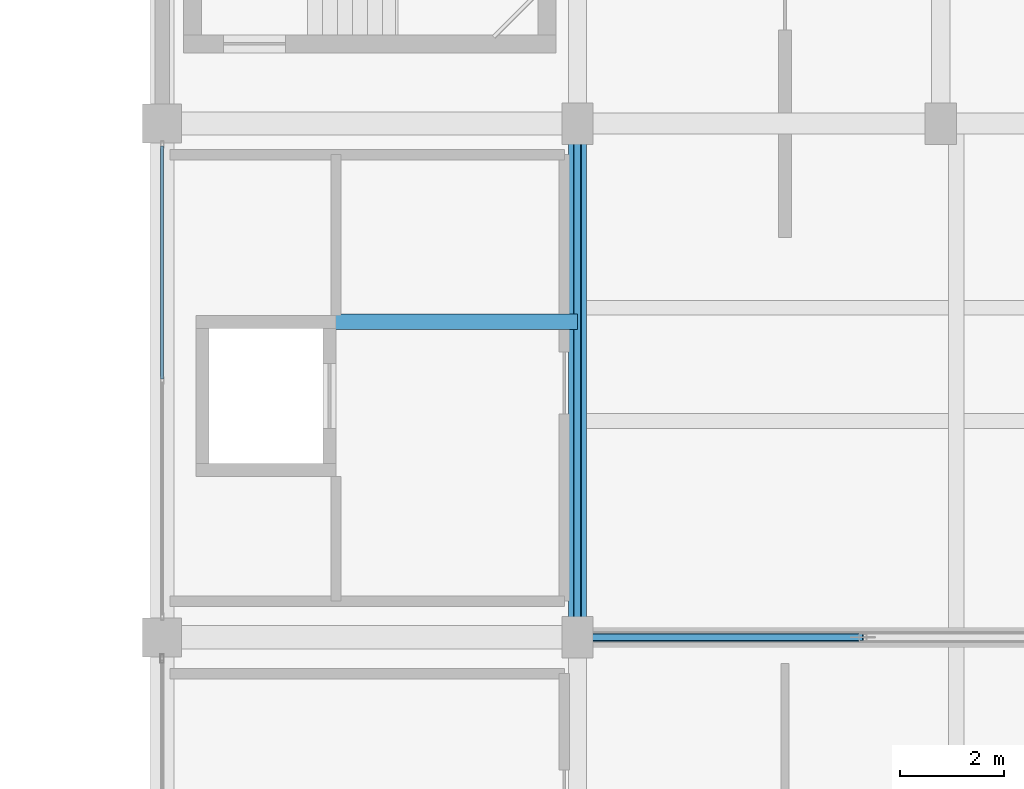
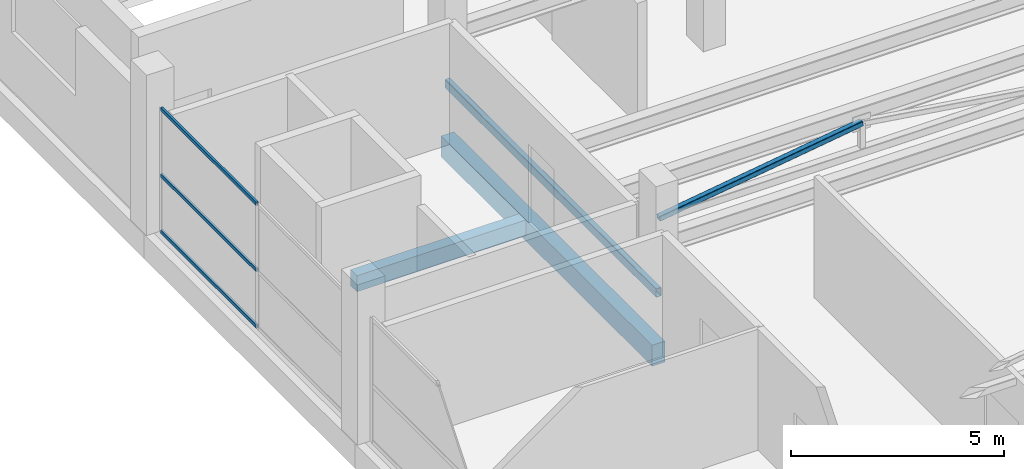
# One storey, part 18 of 49: 4 members, 3 beams, 1 element without a shape of its own.
"""IFC4 building model written with IfcOpenShell, lengths in metres."""

from ifc_helpers import new_model, si_unit, direction, frame, origin, origin_2d, place, context, subcontext, project, spatial, rectangle, hollow_rectangle, extrude, material, layer, layer_set, material_profile, profile_set, type_object, element, aggregate, save


model = new_model("IFC4")

# Units and contexts
model_context = context("Model", 3, precision=1e-05, world=origin(), true_north=direction((0.0, 1.0)))
body_context = subcontext(model_context, "Body", "Model", "MODEL_VIEW")
ifc_project = project(units=[si_unit("LENGTHUNIT", "METRE"), si_unit("AREAUNIT", "SQUARE_METRE"), si_unit("VOLUMEUNIT", "CUBIC_METRE"), si_unit("PLANEANGLEUNIT", "RADIAN"), si_unit("MASSUNIT", "GRAM", prefix="KILO")], contexts=[model_context])

# Site, building, storey
site_placement = place(None, origin())
site = spatial("IfcSite", under=ifc_project, at=site_placement, CompositionType="ELEMENT")
building_placement = place(site_placement, origin())
building = spatial("IfcBuilding", under=site, at=building_placement, Name="Sillaruma Civic Art Gallery", CompositionType="ELEMENT")
storey_placement = place(building_placement, frame((0.0, 0.0, 33.14990234375)))
storey = spatial("IfcBuildingStorey", under=building, at=storey_placement, Name="L06", CompositionType="ELEMENT", Elevation=33.14990234375)

# Beams
ifc_material_1 = material(Name="Concrete H35 (35 MPa)", Category="concrete")
ifc_material_profile_1 = material_profile(ifc_material_1, rectangle(XDim=0.35009765625, YDim=0.60009765625, at=origin_2d()), Name="RCB350x600")
ifc_profile_set_1 = profile_set([ifc_material_profile_1], Name="Concrete H35 (35 MPa)")
beam_type_1 = type_object("IfcBeamType", Name="BM-BEAM-RCB350x600", PredefinedType="BEAM", material=ifc_profile_set_1)
beam_1_placement = place(storey_placement, frame((70.0, 69.300048828125, -0.539794921875), z_axis=(0.0, 1.0, 0.0), x_axis=(-1.0, 0.0, 0.0)))
element("IfcBeam", 1, at=beam_1_placement, inside=storey, type_object=beam_type_1, Name="Beam BM-06 (L05:G:8-9)", PredefinedType="BEAM", context=body_context, shape_type="SweptSolid", body=[
    extrude(rectangle(XDim=0.35009765625, YDim=0.60009765625, at=origin_2d()), origin(), (0.0, 0.0, 1.0), 9.89990234375),
])
ifc_material_profile_2 = material_profile(ifc_material_1, rectangle(XDim=0.300048828125, YDim=0.4599609375, at=origin_2d()), Name="RCB300x460")
ifc_profile_set_2 = profile_set([ifc_material_profile_2], Name="Concrete H35 (35 MPa)")
beam_type_2 = type_object("IfcBeamType", Name="BM-LINTEL-RCB300x460", PredefinedType="LINTEL", material=ifc_profile_set_2)
beam_2_placement = place(storey_placement, frame((65.25, 75.3798828125, -0.469970703125), z_axis=(1.0, 0.0, 0.0), x_axis=(0.0, 1.0, 0.0)))
element("IfcBeam", 2, at=beam_2_placement, inside=storey, type_object=beam_type_2, Name="Core Portal Coupling Lintel BL-01 (L05:FFL)", PredefinedType="LINTEL", context=body_context, shape_type="SweptSolid", body=[
    extrude(rectangle(XDim=0.300048828125, YDim=0.4599609375, at=origin_2d()), origin(), (0.0, 0.0, 1.0), 4.75),
])
ifc_material_2 = material(Name="Structural Steel ASTM A500 Gr.C", Category="steel")
ifc_material_profile_3 = material_profile(ifc_material_2, hollow_rectangle(XDim=0.14990234375, YDim=0.25, WallThickness=0.010009765625, InnerFilletRadius=0.010009765625, OuterFilletRadius=0.02001953125, at=origin_2d()), Name="HSS250x150x10")
ifc_profile_set_3 = profile_set([ifc_material_profile_3], Name="Structural Steel ASTM A500 Gr.C")
beam_type_3 = type_object("IfcBeamType", Name="BM-LND-HSS200", PredefinedType="BEAM", material=ifc_profile_set_3)
beam_3_placement = place(storey_placement, frame((70.0, 69.300048828125, 1.22021484375), z_axis=(0.0, 1.0, 0.0), x_axis=(-1.0, 0.0, 0.0)))
element("IfcBeam", 3, at=beam_3_placement, inside=storey, type_object=beam_type_3, Name="Feature Stair L1 Rail (ST-G03-W)", PredefinedType="BEAM", context=body_context, shape_type="SweptSolid", body=[
    extrude(hollow_rectangle(XDim=0.14990234375, YDim=0.25, WallThickness=0.010009765625, InnerFilletRadius=0.010009765625, OuterFilletRadius=0.02001953125, at=origin_2d()), origin(), (0.0, 0.0, 1.0), 9.89990234375),
])

# Member
ifc_material_profile_4 = material_profile(ifc_material_2, hollow_rectangle(XDim=0.14990234375, YDim=0.14990234375, WallThickness=0.010009765625, InnerFilletRadius=0.010009765625, OuterFilletRadius=0.02001953125, at=origin_2d()), Name="HSS150x150x10")
ifc_profile_set_4 = profile_set([ifc_material_profile_4], Name="Structural Steel ASTM A500 Gr.C")
member_type_1 = type_object("IfcMemberType", Name="MEM-BRACE-HSS150x150x10", PredefinedType="BRACE", material=ifc_profile_set_4)
member_1_placement = place(storey_placement, frame((70.0, 69.300048828125, 3.360107421875), z_axis=(0.989377720719, 0.0, 0.145367553959), x_axis=(0.0, 1.0, 0.0)))
element("IfcMember", 4, at=member_1_placement, inside=storey, type_object=member_type_1, Name="Warren Truss Diagonal TR-L06-3-D1", PredefinedType="BRACE", context=body_context, shape_type="SweptSolid", body=[
    extrude(hollow_rectangle(XDim=0.14990234375, YDim=0.14990234375, WallThickness=0.010009765625, InnerFilletRadius=0.010009765625, OuterFilletRadius=0.02001953125, at=origin_2d()), origin(), (0.0, 0.0, 1.0), 5.55908203125),
])

# Curtain wall, members
ifc_material_3 = material(Name="Thermally Broken Extruded Aluminium 6063-T6", Category="aluminium")
ifc_layer = layer(ifc_material_3, 0.139892578125, Name="Thermally Broken Extruded Aluminium 6063-T6")
ifc_layer_set = layer_set([ifc_layer], Name="Thermally Broken Extruded Aluminium 6063-T6")
curtain_wall_type = type_object("IfcCurtainWallType", Name="CW-UNI-32", PredefinedType="NOTDEFINED", material=ifc_layer_set)
curtain_wall_placement = place(storey_placement, origin())
curtain_wall = element("IfcCurtainWall", 5, at=curtain_wall_placement, inside=storey, type_object=curtain_wall_type, Name="Unitised Curtain Wall CW-32 (CW-L06-W-6)", PredefinedType="NOTDEFINED")
ifc_material_profile_5 = material_profile(ifc_material_3, hollow_rectangle(XDim=0.06005859375, YDim=0.10009765625, WallThickness=0.003173828125, at=origin_2d()), Name="CWT60x100")
ifc_profile_set_5 = profile_set([ifc_material_profile_5], Name="Thermally Broken Extruded Aluminium 6063-T6")
member_type_2 = type_object("IfcMemberType", Name="MEM-TRN-CWT60x100", PredefinedType="USERDEFINED", material=ifc_profile_set_5)
member_2_placement = place(storey_placement, frame((62.0, 74.280029296875, 0.030029296875), z_axis=(0.0, 1.0, 0.0), x_axis=(-1.0, 0.0, 0.0)))
member_2 = element("IfcMember", 6, at=member_2_placement, type_object=member_type_2, Name="CW-32 transom 2.1", ObjectType="TRANSOM", PredefinedType="USERDEFINED", context=body_context, shape_type="SweptSolid", body=[
    extrude(hollow_rectangle(XDim=0.06005859375, YDim=0.10009765625, WallThickness=0.003173828125, at=origin_2d()), origin(), (0.0, 0.0, 1.0), 4.48486328125),
])
member_3_placement = place(storey_placement, frame((62.0, 74.280029296875, 1.642333984375), z_axis=(0.0, 1.0, 0.0), x_axis=(-1.0, 0.0, 0.0)))
member_3 = element("IfcMember", 7, at=member_3_placement, type_object=member_type_2, Name="CW-32 transom 2.2", ObjectType="TRANSOM", PredefinedType="USERDEFINED", context=body_context, shape_type="SweptSolid", body=[
    extrude(hollow_rectangle(XDim=0.06005859375, YDim=0.10009765625, WallThickness=0.003173828125, at=origin_2d()), origin(), (0.0, 0.0, 1.0), 4.48486328125),
])
member_4_placement = place(storey_placement, frame((62.0, 74.280029296875, 3.5400390625), z_axis=(0.0, 1.0, 0.0), x_axis=(-1.0, 0.0, 0.0)))
member_4 = element("IfcMember", 8, at=member_4_placement, type_object=member_type_2, Name="CW-32 transom 2.3", ObjectType="TRANSOM", PredefinedType="USERDEFINED", context=body_context, shape_type="SweptSolid", body=[
    extrude(hollow_rectangle(XDim=0.06005859375, YDim=0.10009765625, WallThickness=0.003173828125, at=origin_2d()), origin(), (0.0, 0.0, 1.0), 4.48486328125),
])
aggregate(curtain_wall, [member_2, member_3, member_4])

save(model, "model.ifc")
